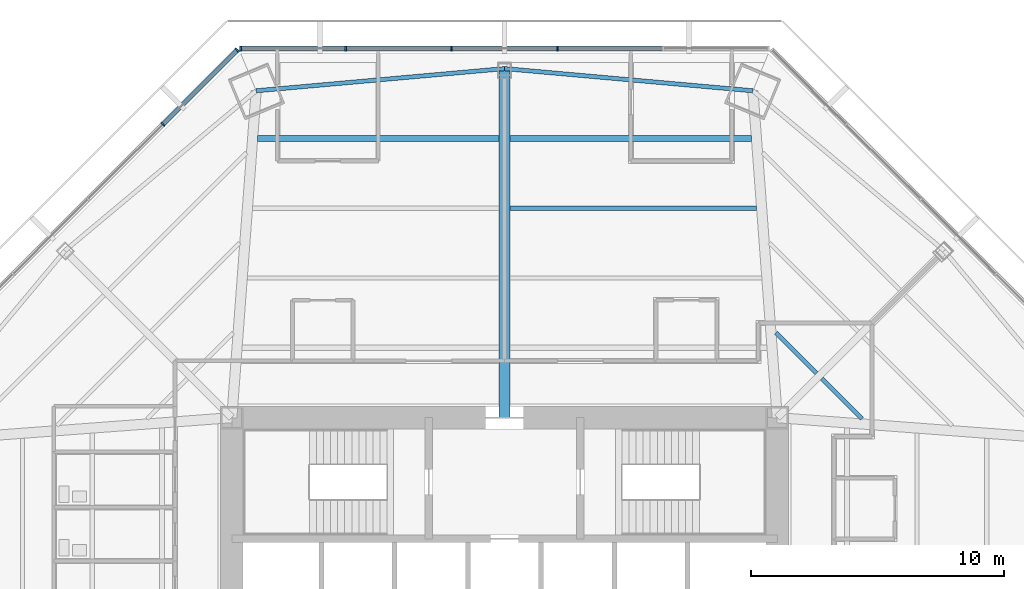
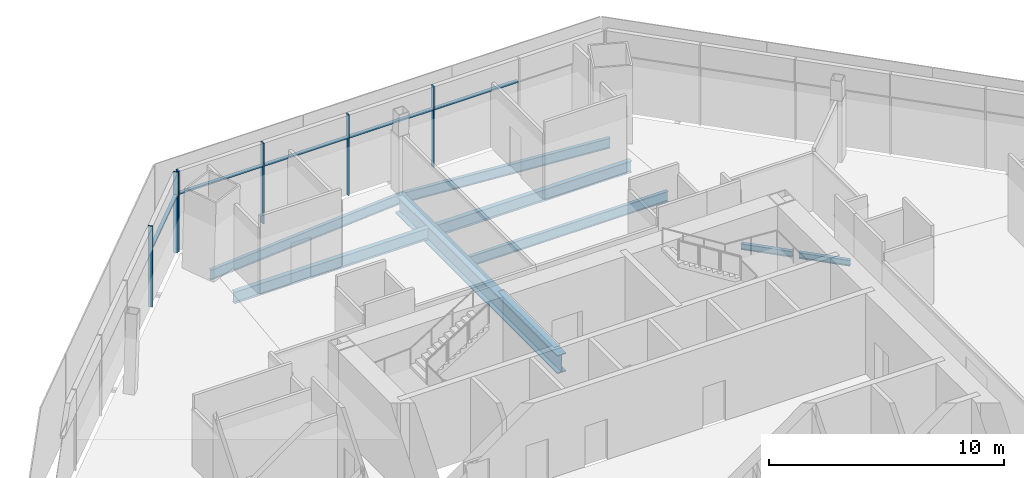
# One storey, part 6 of 17: 11 members, 8 beams, 2 elements without a shape of their own.
"""IFC4 building model written with IfcOpenShell, lengths in metres."""

import ifcopenshell
import ifcopenshell.guid

model = None  # the IFC model being written
_history = None  # IfcOwnerHistory: only IFC2X3 demands one
_inside = {}  # id of a spatial element -> (the spatial element, [elements in it])
_under = {}  # id of a project, library or spatial element -> (it, [spatial elements below it])
_declared = {}  # id of a project -> (the project, [libraries it declares])
_typed = {}  # id of a type object -> (the type object, [elements of that type])
_made_of = {}  # id of a material, layer set ... -> (it, [elements and type objects made of it])


def new_model(schema):
    """Start an empty IFC model of exactly this schema.

    Asked for "IFC4X3", IfcOpenShell would pick the latest addendum, in which some entities
    have other attributes; the version numbers below select the first issue.
    IFC2X3 requires an IfcOwnerHistory on every rooted entity: one is made here for all.
    """
    global model, _history
    if schema == "IFC4X3":
        model = ifcopenshell.file(schema_version=(4, 3, 0, 0))
    else:
        model = ifcopenshell.file(schema=schema)
    _inside.clear()
    _under.clear()
    _declared.clear()
    _typed.clear()
    _made_of.clear()
    _history = None
    if model.schema == "IFC2X3":
        org = make("IfcOrganization", Name="unknown")
        user = make(
            "IfcPersonAndOrganization",
            ThePerson=make("IfcPerson", FamilyName="unknown"),
            TheOrganization=org,
        )
        app = make(
            "IfcApplication",
            ApplicationDeveloper=org,
            Version="unknown",
            ApplicationFullName="unknown",
            ApplicationIdentifier="unknown",
        )
        _history = make(
            "IfcOwnerHistory",
            OwningUser=user,
            OwningApplication=app,
            ChangeAction="ADDED",
            CreationDate=0,
        )
    return model


def make(cls, **values):
    """One entity of the class cls with the attributes given. An attribute that is None is left unset."""
    return model.create_entity(
        cls, **{name: value for name, value in values.items() if value is not None}
    )


def rooted(cls, **values):
    """An entity with a GlobalId (a new one), such as an element, a storey or a relation."""
    return make(cls, GlobalId=ifcopenshell.guid.new(), OwnerHistory=_history, **values)


def si_unit(unit_type, name, prefix=None):
    """IfcSIUnit, for example si_unit("LENGTHUNIT", "METRE", prefix="MILLI")."""
    return make("IfcSIUnit", UnitType=unit_type, Prefix=prefix, Name=name)


def assignment(units):
    """IfcUnitAssignment: the units of a project."""
    return None if units is None else make("IfcUnitAssignment", Units=units)


def point(xyz):
    """IfcCartesianPoint."""
    return None if xyz is None else make("IfcCartesianPoint", Coordinates=xyz)


def direction(xyz):
    """IfcDirection."""
    return None if xyz is None else make("IfcDirection", DirectionRatios=xyz)


def frame(location, z_axis=None, x_axis=None):
    """IfcAxis2Placement3D, a coordinate frame: its origin and axes. An axis left out is left unset."""
    return make(
        "IfcAxis2Placement3D",
        Location=point(location),
        Axis=direction(z_axis),
        RefDirection=direction(x_axis),
    )


def frame_2d(location, x_axis=None):
    """IfcAxis2Placement2D, a coordinate frame in the plane: its origin and x axis."""
    return make(
        "IfcAxis2Placement2D", Location=point(location), RefDirection=direction(x_axis)
    )


def origin():
    """The frame at (0, 0, 0) with its axes left unset."""
    return frame((0.0, 0.0, 0.0))


def origin_2d():
    """The frame at (0, 0) in the plane with its x axis left unset."""
    return frame_2d((0.0, 0.0))


def place(relative_to, where):
    """IfcLocalPlacement: puts the frame where relative to a parent placement (None: the world)."""
    return make(
        "IfcLocalPlacement", PlacementRelTo=relative_to, RelativePlacement=where
    )


def context(
    kind, dimensions, precision=None, world=None, true_north=None, identifier=None
):
    """IfcGeometricRepresentationContext, for example the 3D "Model" context."""
    return make(
        "IfcGeometricRepresentationContext",
        ContextIdentifier=identifier,
        ContextType=kind,
        CoordinateSpaceDimension=dimensions,
        Precision=precision,
        WorldCoordinateSystem=world,
        TrueNorth=true_north,
    )


def subcontext(parent, identifier, kind, view, scale=None):
    """IfcGeometricRepresentationSubContext, for example "Body" below "Model"."""
    return make(
        "IfcGeometricRepresentationSubContext",
        ContextIdentifier=identifier,
        ContextType=kind,
        ParentContext=parent,
        TargetScale=scale,
        TargetView=view,
    )


def project(units=None, contexts=None):
    """IfcProject with its units and contexts."""
    return rooted(
        "IfcProject",
        Name="project",
        RepresentationContexts=contexts,
        UnitsInContext=assignment(units),
    )


def spatial(cls, under=None, at=None, **own):
    """A site, building, storey or space (cls), placed at a placement, below another one or the project."""
    s = rooted(cls, ObjectPlacement=at, **own)
    if under is not None:
        _under.setdefault(under.id(), (under, []))[1].append(s)
    return s


def profile(cls, at=None, kind="AREA", **sizes):
    """A parametric profile (cls). Its sizes go by their IFC names, for example OverallWidth=200.0."""
    return make(cls, ProfileType=kind, Position=at, **sizes)


def rectangle(**sizes):
    """IfcRectangleProfileDef."""
    return profile("IfcRectangleProfileDef", **sizes)


def i_section(**sizes):
    """IfcIShapeProfileDef."""
    return profile("IfcIShapeProfileDef", **sizes)


def extrude(swept, where, along, depth):
    """IfcExtrudedAreaSolid: the profile swept, set in the frame where, extruded along a direction by depth."""
    return make(
        "IfcExtrudedAreaSolid",
        SweptArea=swept,
        Position=where,
        ExtrudedDirection=direction(along),
        Depth=depth,
    )


def shape(context_of_items, identifier, shape_type, items):
    """IfcShapeRepresentation: the items that make up one representation, for example the "Body"."""
    return make(
        "IfcShapeRepresentation",
        ContextOfItems=context_of_items,
        RepresentationIdentifier=identifier,
        RepresentationType=shape_type,
        Items=items,
    )


def source(mapping_origin, context_of_items, identifier, shape_type, items):
    """IfcRepresentationMap: a shape defined once, which mapped items show again and again."""
    return make(
        "IfcRepresentationMap",
        MappingOrigin=mapping_origin,
        MappedRepresentation=shape(context_of_items, identifier, shape_type, items),
    )


def transform(
    local_origin,
    x_axis=None,
    y_axis=None,
    z_axis=None,
    scale=None,
    scale2=None,
    scale3=None,
    uniform=True,
):
    """IfcCartesianTransformationOperator3D, or its non-uniform kind. x_axis, y_axis, z_axis: its Axis1, 2, 3."""
    if uniform:
        return make(
            "IfcCartesianTransformationOperator3D",
            Axis1=direction(x_axis),
            Axis2=direction(y_axis),
            LocalOrigin=point(local_origin),
            Scale=scale,
            Axis3=direction(z_axis),
        )
    return make(
        "IfcCartesianTransformationOperator3DnonUniform",
        Axis1=direction(x_axis),
        Axis2=direction(y_axis),
        LocalOrigin=point(local_origin),
        Scale=scale,
        Axis3=direction(z_axis),
        Scale2=scale2,
        Scale3=scale3,
    )


def mapped(mapping_source, mapping_target):
    """IfcMappedItem: shows the shape of a source again, moved by a transform."""
    return make(
        "IfcMappedItem", MappingSource=mapping_source, MappingTarget=mapping_target
    )


def material(Name=None, Category=None):
    """IfcMaterial."""
    return make("IfcMaterial", Name=Name, Category=Category)


def material_profile(
    of_material, cross_section, Name=None, Category=None, Priority=None
):
    """IfcMaterialProfile: a cross section and its material."""
    return make(
        "IfcMaterialProfile",
        Name=Name,
        Material=of_material,
        Profile=cross_section,
        Priority=Priority,
        Category=Category,
    )


def profile_set(profiles, Name=None, composite=None):
    """IfcMaterialProfileSet."""
    return make(
        "IfcMaterialProfileSet",
        Name=Name,
        MaterialProfiles=profiles,
        CompositeProfile=composite,
    )


def made_of(thing, what):
    """Note that an element or type object is made of a material, layer set ...; save() writes the relation."""
    if what is not None:
        _made_of.setdefault(what.id(), (what, []))[1].append(thing)
    return thing


def type_object(cls, material=None, **own):
    """A type object (cls), such as IfcWallType, which elements share."""
    return made_of(rooted(cls, **own), material)


def type_shapes(of_type, sources):
    """Give a type object the sources (RepresentationMaps) that its elements show as mapped items."""
    of_type.RepresentationMaps = sources


def element(
    cls,
    number,
    at=None,
    inside=None,
    cuts=None,
    type_object=None,
    material=None,
    context=None,
    identifier="Body",
    shape_type=None,
    held_by="IfcProductDefinitionShape",
    body=None,
    shapes=None,
    **own,
):
    """One element of the class cls, such as IfcWall. Its Tag is "e" and its number.

    at: its placement. inside: the storey or other place that contains it. cuts: it is an
    opening in that element (IfcRelVoidsElement). A single representation is given by context,
    identifier, shape_type and body (its items); several are given by shapes. held_by: the class
    of the entity that holds the representations. save() writes the other relations.
    """
    e = rooted(cls, Tag="e%d" % number, ObjectPlacement=at, **own)
    if body is not None:
        shapes = [shape(context, identifier, shape_type, body)]
    if shapes is not None:
        e.Representation = make(held_by, Representations=shapes)
    if inside is not None:
        _inside.setdefault(inside.id(), (inside, []))[1].append(e)
    if cuts is not None:
        rooted(
            "IfcRelVoidsElement", RelatingBuildingElement=cuts, RelatedOpeningElement=e
        )
    if type_object is not None:
        _typed.setdefault(type_object.id(), (type_object, []))[1].append(e)
    return made_of(e, material)


def aggregate(whole, parts):
    """IfcRelAggregates: a whole, such as a stair, and the parts it consists of."""
    return rooted("IfcRelAggregates", RelatingObject=whole, RelatedObjects=parts)


def save(model, path):
    """Write the relations noted so far, then the file.

    IfcRelAggregates (storeys below a building ...), IfcRelContainedInSpatialStructure (elements
    in a storey), IfcRelDefinesByType, IfcRelAssociatesMaterial and IfcRelDeclares: one each for
    every whole, place, type object, material and project.
    """
    for whole, parts in _under.values():
        aggregate(whole, parts)
    for where, things in _inside.values():
        rooted(
            "IfcRelContainedInSpatialStructure",
            RelatedElements=things,
            RelatingStructure=where,
        )
    for kind, things in _typed.values():
        rooted("IfcRelDefinesByType", RelatedObjects=things, RelatingType=kind)
    for what, things in _made_of.values():
        rooted("IfcRelAssociatesMaterial", RelatedObjects=things, RelatingMaterial=what)
    for by, libraries in _declared.values():
        rooted("IfcRelDeclares", RelatingContext=by, RelatedDefinitions=libraries)
    model.write(path)


model = new_model("IFC4")

# Units and contexts
model_context = context("Model", 3, precision=1e-05, world=origin(), true_north=direction((0.0, 1.0)))
body_context = subcontext(model_context, "Body", "Model", "MODEL_VIEW")
ifc_project = project(units=[si_unit("LENGTHUNIT", "METRE"), si_unit("AREAUNIT", "SQUARE_METRE"), si_unit("VOLUMEUNIT", "CUBIC_METRE"), si_unit("PLANEANGLEUNIT", "RADIAN"), si_unit("MASSUNIT", "GRAM", prefix="KILO")], contexts=[model_context])

# Site, building, storey
site_placement = place(None, origin())
site = spatial("IfcSite", under=ifc_project, at=site_placement, CompositionType="ELEMENT")
building_placement = place(site_placement, origin())
building = spatial("IfcBuilding", under=site, at=building_placement, Name="Mashrafa Tower", CompositionType="ELEMENT")
storey_placement = place(building_placement, frame((0.0, 0.0, 91.800048828125)))
storey = spatial("IfcBuildingStorey", under=building, at=storey_placement, Name="L20", CompositionType="ELEMENT", Elevation=91.800048828125)

# Beams
ifc_material_1 = material(Name="Steel ASTM A992", Category="steel")
ifc_material_profile_1 = material_profile(ifc_material_1, i_section(OverallWidth=0.164794921875, OverallDepth=0.309814453125, WebThickness=0.005859375, FlangeThickness=0.009765625, FilletRadius=0.007568359375, at=origin_2d()), Name="W12X26")
ifc_profile_set_1 = profile_set([ifc_material_profile_1], Name="Steel ASTM A992")
beam_type_1 = type_object("IfcBeamType", Name="Beam W12X26", PredefinedType="BEAM", material=ifc_profile_set_1)
for number, where, z_axis, x_axis, name in (
    (1, (10.751220703125, 14.154296875, -0.320068359375), (0.707052772649, -0.707160785599, 0.0), (0.707160785599, 0.707052772649, 0.0), "Floor beam L20 038"),
    (2, (12.555908203125, 12.349365234375, -0.320068359375), (0.707160785599, -0.707052772649, 0.0), (0.707052772649, 0.707160785599, 0.0), "Floor beam L20 041"),
):
    element("IfcBeam", number, at=place(storey_placement, frame(where, z_axis=z_axis, x_axis=x_axis)), inside=storey, type_object=beam_type_1, Name=name, PredefinedType="BEAM", context=body_context, shape_type="SweptSolid", body=[
        extrude(i_section(OverallWidth=0.164794921875, OverallDepth=0.309814453125, WebThickness=0.005859375, FlangeThickness=0.009765625, FilletRadius=0.007568359375, at=origin_2d()), origin(), (0.0, 0.0, 1.0), 2.26025390625),
    ])
ifc_material_2 = material(Name="Steel ASTM A992", Category="steel")
ifc_material_profile_2 = material_profile(ifc_material_2, i_section(OverallWidth=0.165771484375, OverallDepth=0.5283203125, WebThickness=0.009765625, FlangeThickness=0.013671875, FilletRadius=0.012939453125, at=origin_2d()), Name="W21X50")
ifc_profile_set_2 = profile_set([ifc_material_profile_2], Name="Steel ASTM A992")
beam_type_2 = type_object("IfcBeamType", Name="Beam W21X50", PredefinedType="BEAM", material=ifc_profile_set_2)
beam_1_placement = place(storey_placement, frame((0.212158203125, 19.093505859375, -0.42919921875), z_axis=(1.0, 0.0, 0.0), x_axis=(0.0, 1.0, 0.0)))
element("IfcBeam", 3, at=beam_1_placement, inside=storey, type_object=beam_type_2, Name="Floor beam L20 031", PredefinedType="BEAM", context=body_context, shape_type="SweptSolid", body=[
    extrude(i_section(OverallWidth=0.165771484375, OverallDepth=0.5283203125, WebThickness=0.009765625, FlangeThickness=0.013671875, FilletRadius=0.012939453125, at=origin_2d()), origin(), (0.0, 0.0, 1.0), 9.7685546875),
])
for number, where, z_axis, x_axis, name in (
    (4, (0.0, 24.62255859375, -0.42919921875), (-0.996037431546, -0.088935004127, 0.0), (0.088935004127, -0.996037431546, 0.0), "Spandrel beam L20 081"),
    (5, (9.835205078125, 23.744384765625, -0.42919921875), (-0.996037431546, 0.088935004127, 0.0), (-0.088935004127, -0.996037431546, 0.0), "Spandrel beam L20 083"),
):
    element("IfcBeam", number, at=place(storey_placement, frame(where, z_axis=z_axis, x_axis=x_axis)), inside=storey, type_object=beam_type_2, Name=name, PredefinedType="BEAM", context=body_context, shape_type="SweptSolid", body=[
        extrude(i_section(OverallWidth=0.165771484375, OverallDepth=0.5283203125, WebThickness=0.009765625, FlangeThickness=0.013671875, FilletRadius=0.012939453125, at=origin_2d()), origin(), (0.0, 0.0, 1.0), 9.874267578125),
    ])
ifc_material_3 = material(Name="Steel ASTM A992", Category="steel")
ifc_material_profile_3 = material_profile(ifc_material_3, i_section(OverallWidth=0.227783203125, OverallDepth=0.60205078125, WebThickness=0.010498046875, FlangeThickness=0.014892578125, FilletRadius=0.012939453125, at=origin_2d()), Name="W24X68")
ifc_profile_set_3 = profile_set([ifc_material_profile_3], Name="Steel ASTM A992")
beam_type_3 = type_object("IfcBeamType", Name="Beam W24X68", PredefinedType="BEAM", material=ifc_profile_set_3)
for number, where, z_axis, x_axis, name in (
    (6, (-9.774658203125, 21.85791015625, -0.466064453125), (1.0, 0.0, 0.0), (0.0, 1.0, 0.0), "Floor beam L20 024"),
    (7, (0.212158203125, 21.85791015625, -0.466064453125), (1.0, 0.0, 0.0), (0.0, 1.0, 0.0), "Floor beam L20 032"),
):
    element("IfcBeam", number, at=place(storey_placement, frame(where, z_axis=z_axis, x_axis=x_axis)), inside=storey, type_object=beam_type_3, Name=name, PredefinedType="BEAM", context=body_context, shape_type="SweptSolid", body=[
        extrude(i_section(OverallWidth=0.227783203125, OverallDepth=0.60205078125, WebThickness=0.010498046875, FlangeThickness=0.014892578125, FilletRadius=0.012939453125, at=origin_2d()), origin(), (0.0, 0.0, 1.0), 9.5625),
    ])
ifc_material_4 = material(Name="Steel ASTM A992", Category="steel")
ifc_material_profile_4 = material_profile(ifc_material_4, i_section(OverallWidth=0.424072265625, OverallDepth=0.960205078125, WebThickness=0.028564453125, FlangeThickness=0.051025390625, FilletRadius=0.02001953125, at=origin_2d()), Name="W36X361")
ifc_profile_set_4 = profile_set([ifc_material_profile_4], Name="Steel ASTM A992")
beam_type_4 = type_object("IfcBeamType", Name="Beam W36X361", PredefinedType="BEAM", material=ifc_profile_set_4)
beam_2_placement = place(storey_placement, frame((0.0, 10.800048828125, -0.64501953125), z_axis=(0.0, 1.0, 0.0), x_axis=(-1.0, 0.0, 0.0)))
element("IfcBeam", 8, at=beam_2_placement, inside=storey, type_object=beam_type_4, Name="Radial girder L20 065", PredefinedType="BEAM", context=body_context, shape_type="SweptSolid", body=[
    extrude(i_section(OverallWidth=0.424072265625, OverallDepth=0.960205078125, WebThickness=0.028564453125, FlangeThickness=0.051025390625, FilletRadius=0.02001953125, at=origin_2d()), origin(), (0.0, 0.0, 1.0), 13.822509765625),
])

# Curtain wall, members
ifc_material_5 = material(Name="Unitised aluminium curtain wall", Category="aluminium")
curtain_wall_type = type_object("IfcCurtainWallType", Name="Office curtain wall, zone 1 CW-A 200 deep", PredefinedType="NOTDEFINED", material=ifc_material_5)
curtain_wall_1_placement = place(storey_placement, origin())
curtain_wall_1 = element("IfcCurtainWall", 9, at=curtain_wall_1_placement, inside=storey, type_object=curtain_wall_type, Name="Office curtain wall, zone 1 L20 north", PredefinedType="NOTDEFINED")
ifc_material_6 = material(Name="Extruded aluminium mullion", Category="aluminium")
ifc_material_profile_5 = material_profile(ifc_material_6, rectangle(XDim=0.199951171875, YDim=0.06494140625, at=origin_2d()), Name="Mullion 65x200")
ifc_profile_set_5 = profile_set([ifc_material_profile_5], Name="Extruded aluminium mullion")
member_type_1 = type_object("IfcMemberType", Name="Mullion CW-A 65 x 200", PredefinedType="MULLION", material=ifc_profile_set_5)
shared_shape_1 = source(origin(), body_context, "Body", "SweptSolid", [
    extrude(rectangle(XDim=0.199951171875, YDim=0.06494140625, at=origin_2d()), origin(), (0.0, 0.0, 1.0), 4.199951171875),
])
type_shapes(member_type_1, [shared_shape_1])
member_1_placement = place(storey_placement, frame((2.095458984375, 25.417724609375, 0.0), z_axis=(0.0, 0.0, 1.0), x_axis=(0.0, -1.0, 0.0)))
member_1 = element("IfcMember", 10, at=member_1_placement, type_object=member_type_1, Name="CW-A mullion 3", PredefinedType="MULLION", context=body_context, shape_type="MappedRepresentation", body=[
    mapped(shared_shape_1, transform((0.0, 0.0, 0.0))),
])
member_2_placement = place(storey_placement, frame((-2.095458984375, 25.417724609375, 0.0), z_axis=(0.0, 0.0, 1.0), x_axis=(0.0, -1.0, 0.0)))
member_2 = element("IfcMember", 11, at=member_2_placement, type_object=member_type_1, Name="CW-A mullion 4", PredefinedType="MULLION", context=body_context, shape_type="MappedRepresentation", body=[
    mapped(shared_shape_1, transform((0.0, 0.0, 0.0))),
])
member_3_placement = place(storey_placement, frame((-6.2861328125, 25.417724609375, 0.0), z_axis=(0.0, 0.0, 1.0), x_axis=(0.0, -1.0, 0.0)))
member_3 = element("IfcMember", 12, at=member_3_placement, type_object=member_type_1, Name="CW-A mullion 5", PredefinedType="MULLION", context=body_context, shape_type="MappedRepresentation", body=[
    mapped(shared_shape_1, transform((0.0, 0.0, 0.0))),
])
member_4_placement = place(storey_placement, frame((-10.444580078125, 25.417724609375, 0.0), z_axis=(0.0, 0.0, 1.0), x_axis=(0.0, -1.0, 0.0)))
member_4 = element("IfcMember", 13, at=member_4_placement, type_object=member_type_1, Name="CW-A mullion 6", PredefinedType="MULLION", context=body_context, shape_type="MappedRepresentation", body=[
    mapped(shared_shape_1, transform((0.0, 0.0, 0.0))),
])

curtain_wall_2_placement = place(storey_placement, origin())
curtain_wall_2 = element("IfcCurtainWall", 14, at=curtain_wall_2_placement, inside=storey, type_object=curtain_wall_type, Name="Office curtain wall, zone 1 L20 north-west", PredefinedType="NOTDEFINED")
member_5_placement = place(storey_placement, frame((-10.587646484375, 25.3583984375, 0.0), z_axis=(0.0, 0.0, 1.0), x_axis=(0.707106781187, -0.707106781187, 0.0)))
member_5 = element("IfcMember", 15, at=member_5_placement, type_object=member_type_1, Name="CW-A mullion 1", PredefinedType="MULLION", context=body_context, shape_type="MappedRepresentation", body=[
    mapped(shared_shape_1, transform((0.0, 0.0, 0.0))),
])
member_6_placement = place(storey_placement, frame((-13.528076171875, 22.418212890625, 0.0), z_axis=(0.0, 0.0, 1.0), x_axis=(0.707106781187, -0.707106781187, 0.0)))
member_6 = element("IfcMember", 16, at=member_6_placement, type_object=member_type_1, Name="CW-A mullion 2", PredefinedType="MULLION", context=body_context, shape_type="MappedRepresentation", body=[
    mapped(shared_shape_1, transform((0.0, 0.0, 0.0))),
])

# Member
ifc_material_7 = material(Name="Extruded aluminium transom", Category="aluminium")
ifc_material_profile_6 = material_profile(ifc_material_7, rectangle(XDim=0.159912109375, YDim=0.080078125, at=origin_2d()), Name="Transom 80x160")
ifc_profile_set_6 = profile_set([ifc_material_profile_6], Name="Extruded aluminium transom")
member_type_2 = type_object("IfcMemberType", Name="Transom CW-A 80 x 160", PredefinedType="MULLION", material=ifc_profile_set_6)
shared_shape_2 = source(origin(), body_context, "Body", "SweptSolid", [
    extrude(rectangle(XDim=0.159912109375, YDim=0.080078125, at=origin_2d()), origin(), (0.0, 0.0, 1.0), 4.09326171875),
])
member_7_placement = place(storey_placement, frame((-6.318603515625, 25.417724609375, 3.0), z_axis=(-1.0, 0.0, 0.0), x_axis=(0.0, -1.0, 0.0)))
member_7 = element("IfcMember", 17, at=member_7_placement, type_object=member_type_2, Name="CW-A transom 5", PredefinedType="MULLION", context=body_context, shape_type="MappedRepresentation", body=[
    mapped(shared_shape_2, transform((0.0, 0.0, 0.0))),
])

member_8_placement = place(storey_placement, frame((-10.61083984375, 25.33544921875, 3.0), z_axis=(-0.707106781187, -0.707106781187, 0.0), x_axis=(0.707106781187, -0.707106781187, 0.0)))
member_8 = element("IfcMember", 18, at=member_8_placement, type_object=member_type_2, Name="CW-A transom 1", PredefinedType="MULLION", context=body_context, shape_type="MappedRepresentation", body=[
    mapped(shared_shape_2, transform((0.0, 0.0, 0.0))),
])

aggregate(curtain_wall_2, [member_5, member_6, member_8])

shared_shape_3 = source(origin(), body_context, "Body", "SweptSolid", [
    extrude(rectangle(XDim=0.159912109375, YDim=0.080078125, at=origin_2d()), origin(), (0.0, 0.0, 1.0), 4.125732421875),
])
member_9_placement = place(storey_placement, frame((6.253662109375, 25.417724609375, 3.0), z_axis=(-1.0, 0.0, 0.0), x_axis=(0.0, -1.0, 0.0)))
member_9 = element("IfcMember", 19, at=member_9_placement, type_object=member_type_2, Name="CW-A transom 2", PredefinedType="MULLION", context=body_context, shape_type="MappedRepresentation", body=[
    mapped(shared_shape_3, transform((0.0, 0.0, 0.0))),
])

member_10_placement = place(storey_placement, frame((-2.1279296875, 25.417724609375, 3.0), z_axis=(-1.0, 0.0, 0.0), x_axis=(0.0, -1.0, 0.0)))
member_10 = element("IfcMember", 20, at=member_10_placement, type_object=member_type_2, Name="CW-A transom 4", PredefinedType="MULLION", context=body_context, shape_type="MappedRepresentation", body=[
    mapped(shared_shape_3, transform((0.0, 0.0, 0.0))),
])

shared_shape_4 = source(origin(), body_context, "Body", "SweptSolid", [
    extrude(rectangle(XDim=0.159912109375, YDim=0.080078125, at=origin_2d()), origin(), (0.0, 0.0, 1.0), 4.1259765625),
])
type_shapes(member_type_2, [shared_shape_2, shared_shape_3, shared_shape_4])
member_11_placement = place(storey_placement, frame((2.06298828125, 25.417724609375, 3.0), z_axis=(-1.0, 0.0, 0.0), x_axis=(0.0, -1.0, 0.0)))
member_11 = element("IfcMember", 21, at=member_11_placement, type_object=member_type_2, Name="CW-A transom 3", PredefinedType="MULLION", context=body_context, shape_type="MappedRepresentation", body=[
    mapped(shared_shape_4, transform((0.0, 0.0, 0.0))),
])

aggregate(curtain_wall_1, [member_1, member_2, member_3, member_4, member_9, member_11, member_10, member_7])

save(model, "model.ifc")
